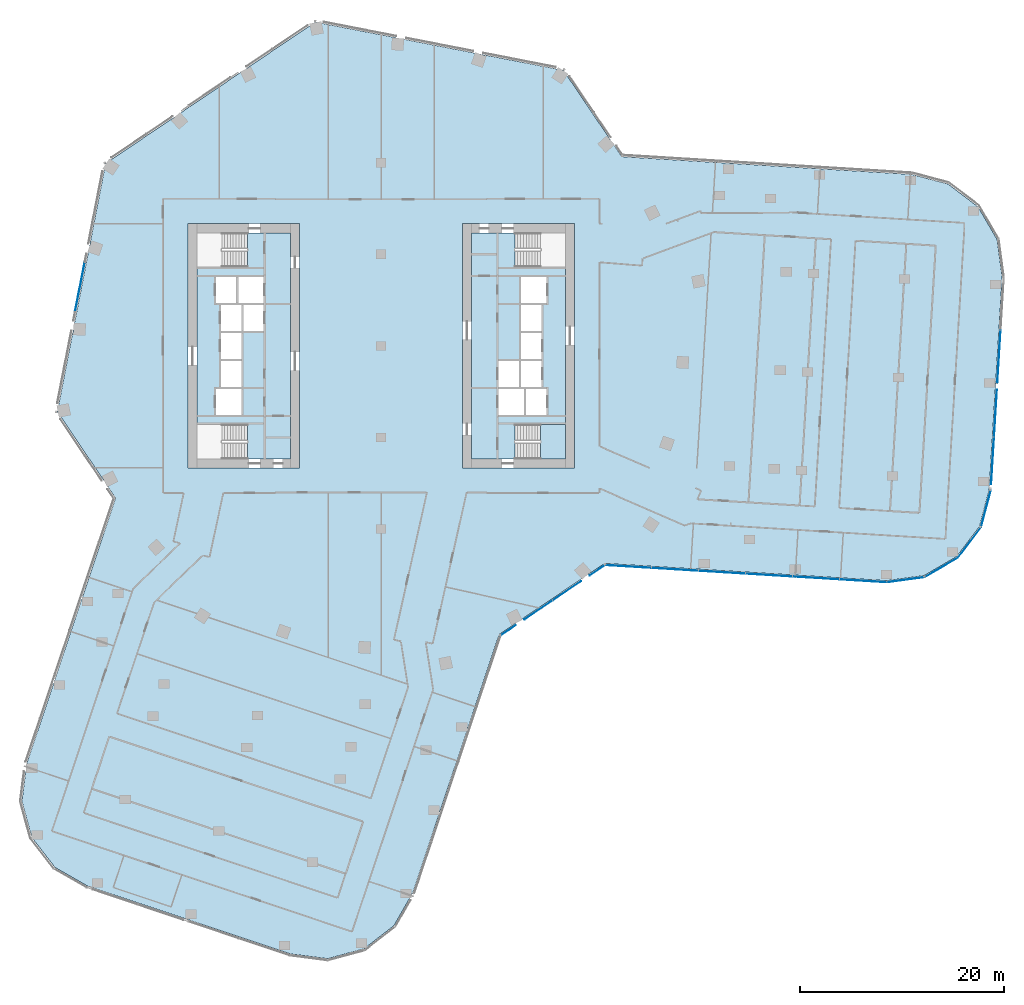
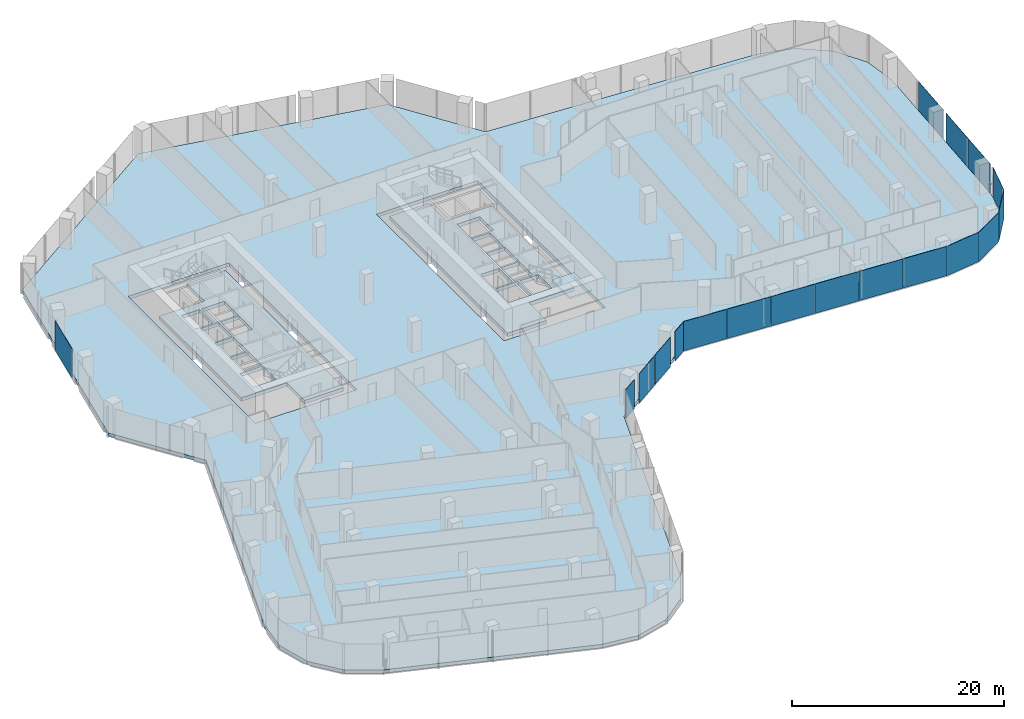
# One storey, part 19 of 32: 18 plates, 4 slabs, 9 elements without a shape of their own.
"""IFC4 building model written with IfcOpenShell, lengths in metres."""

from ifc_helpers import new_model, si_unit, direction, frame, origin, origin_2d, place, context, subcontext, project, spatial, polyline, rectangle, outline, extrude, material, layer, layer_set, type_object, element, aggregate, save


model = new_model("IFC4")

# Units and contexts
model_context = context("Model", 3, precision=1e-05, world=origin(), true_north=direction((0.0, 1.0)))
body_context = subcontext(model_context, "Body", "Model", "MODEL_VIEW")
ifc_project = project(units=[si_unit("LENGTHUNIT", "METRE"), si_unit("AREAUNIT", "SQUARE_METRE"), si_unit("VOLUMEUNIT", "CUBIC_METRE"), si_unit("PLANEANGLEUNIT", "RADIAN"), si_unit("MASSUNIT", "GRAM", prefix="KILO")], contexts=[model_context])

# Site, building, storey
site_placement = place(None, origin())
site = spatial("IfcSite", under=ifc_project, at=site_placement, CompositionType="ELEMENT")
building_placement = place(site_placement, origin())
building = spatial("IfcBuilding", under=site, at=building_placement, Name="Orlundy Tower", CompositionType="ELEMENT")
storey_placement = place(building_placement, frame((0.0, 0.0, 149.10009765625)))
storey = spatial("IfcBuildingStorey", under=building, at=storey_placement, Name="L38", CompositionType="ELEMENT", Elevation=149.10009765625)

# Curtain wall, plates
ifc_material_1 = material(Name="Aluminium bronze anodised", Category="aluminium")
curtain_wall_type = type_object("IfcCurtainWallType", Name="CW1 wall", PredefinedType="NOTDEFINED", material=ifc_material_1)
curtain_wall_1_placement = place(storey_placement, origin())
curtain_wall_1 = element("IfcCurtainWall", 1, at=curtain_wall_1_placement, inside=storey, type_object=curtain_wall_type, Name="CW1 run 00", PredefinedType="NOTDEFINED")
ifc_material_2 = material(Name="Tinted glass", Category="glass")
ifc_layer_1 = layer(ifc_material_2, 0.031982421875)
ifc_layer_set_1 = layer_set([ifc_layer_1], Name="CW1 glass panel 32")
plate_type = type_object("IfcPlateType", Name="CW1 glass panel 32", PredefinedType="CURTAIN_PANEL", material=ifc_layer_set_1)
plate_1_placement = place(storey_placement, frame((47.37109375, -23.098876953125, -0.280029296875), z_axis=(0.0, 0.0, 1.0), x_axis=(-0.998135153221, 0.061042738341, 0.0)))
plate_1 = element("IfcPlate", 2, at=plate_1_placement, type_object=plate_type, Name="CW1 panel", PredefinedType="CURTAIN_PANEL", context=body_context, shape_type="SweptSolid", body=[
    extrude(rectangle(XDim=4.5966796875, YDim=0.031982421875, at=origin_2d()), origin(), (0.0, 0.0, 1.0), 3.3798828125),
])
plate_2_placement = place(storey_placement, frame((42.740966796875, -22.815673828125, -0.280029296875), z_axis=(0.0, 0.0, 1.0), x_axis=(-0.998135153221, 0.061042738341, 0.0)))
plate_2 = element("IfcPlate", 3, at=plate_2_placement, type_object=plate_type, Name="CW1 panel", PredefinedType="CURTAIN_PANEL", context=body_context, shape_type="SweptSolid", body=[
    extrude(rectangle(XDim=4.58056640625, YDim=0.031982421875, at=origin_2d()), origin(), (0.0, 0.0, 1.0), 3.3798828125),
])
plate_3_placement = place(storey_placement, frame((38.118896484375, -22.532958984375, -0.280029296875), z_axis=(0.0, 0.0, 1.0), x_axis=(-0.998135153221, 0.061042738341, 0.0)))
plate_3 = element("IfcPlate", 4, at=plate_3_placement, type_object=plate_type, Name="CW1 panel", PredefinedType="CURTAIN_PANEL", context=body_context, shape_type="SweptSolid", body=[
    extrude(rectangle(XDim=4.58056640625, YDim=0.031982421875, at=origin_2d()), origin(), (0.0, 0.0, 1.0), 3.3798828125),
])
plate_4_placement = place(storey_placement, frame((33.4970703125, -22.250244140625, -0.280029296875), z_axis=(0.0, 0.0, 1.0), x_axis=(-0.998135153221, 0.061042738341, 0.0)))
plate_4 = element("IfcPlate", 5, at=plate_4_placement, type_object=plate_type, Name="CW1 panel", PredefinedType="CURTAIN_PANEL", context=body_context, shape_type="SweptSolid", body=[
    extrude(rectangle(XDim=4.58056640625, YDim=0.031982421875, at=origin_2d()), origin(), (0.0, 0.0, 1.0), 3.3798828125),
])
plate_5_placement = place(storey_placement, frame((28.875, -21.9677734375, -0.280029296875), z_axis=(0.0, 0.0, 1.0), x_axis=(-0.998135153221, 0.061042738341, 0.0)))
plate_5 = element("IfcPlate", 6, at=plate_5_placement, type_object=plate_type, Name="CW1 panel", PredefinedType="CURTAIN_PANEL", context=body_context, shape_type="SweptSolid", body=[
    extrude(rectangle(XDim=4.58056640625, YDim=0.031982421875, at=origin_2d()), origin(), (0.0, 0.0, 1.0), 3.3798828125),
])
plate_6_placement = place(storey_placement, frame((24.268310546875, -21.68603515625, -0.280029296875), z_axis=(0.0, 0.0, 1.0), x_axis=(-0.998135153221, 0.061042738341, 0.0)))
plate_6 = element("IfcPlate", 7, at=plate_6_placement, type_object=plate_type, Name="CW1 panel", PredefinedType="CURTAIN_PANEL", context=body_context, shape_type="SweptSolid", body=[
    extrude(rectangle(XDim=4.550048828125, YDim=0.031982421875, at=origin_2d()), origin(), (0.0, 0.0, 1.0), 3.3798828125),
])
aggregate(curtain_wall_1, [plate_1, plate_2, plate_3, plate_4, plate_5, plate_6])

curtain_wall_2_placement = place(storey_placement, origin())
curtain_wall_2 = element("IfcCurtainWall", 8, at=curtain_wall_2_placement, inside=storey, type_object=curtain_wall_type, Name="CW1 run 01", PredefinedType="NOTDEFINED")
plate_7_placement = place(storey_placement, frame((21.246826171875, -22.05322265625, -0.280029296875), z_axis=(0.0, 0.0, 1.0), x_axis=(-0.829056587538, -0.559164711565, 0.0)))
plate_7 = element("IfcPlate", 9, at=plate_7_placement, type_object=plate_type, Name="CW1 panel", PredefinedType="CURTAIN_PANEL", context=body_context, shape_type="SweptSolid", body=[
    extrude(rectangle(XDim=1.810791015625, YDim=0.031982421875, at=origin_2d()), origin(), (0.0, 0.0, 1.0), 3.3798828125),
])
plate_8_placement = place(storey_placement, frame((18.269775390625, -24.061279296875, -0.280029296875), z_axis=(0.0, 0.0, 1.0), x_axis=(-0.829056587538, -0.559164711565, 0.0)))
plate_8 = element("IfcPlate", 10, at=plate_8_placement, type_object=plate_type, Name="CW1 panel", PredefinedType="CURTAIN_PANEL", context=body_context, shape_type="SweptSolid", body=[
    extrude(rectangle(XDim=3.33203125, YDim=0.031982421875, at=origin_2d()), origin(), (0.0, 0.0, 1.0), 3.3798828125),
])
plate_9_placement = place(storey_placement, frame((15.465576171875, -25.95263671875, -0.280029296875), z_axis=(0.0, 0.0, 1.0), x_axis=(-0.829056587538, -0.559164711565, 0.0)))
plate_9 = element("IfcPlate", 11, at=plate_9_placement, type_object=plate_type, Name="CW1 panel", PredefinedType="CURTAIN_PANEL", context=body_context, shape_type="SweptSolid", body=[
    extrude(rectangle(XDim=3.33251953125, YDim=0.031982421875, at=origin_2d()), origin(), (0.0, 0.0, 1.0), 3.3798828125),
])
plate_10_placement = place(storey_placement, frame((12.487548828125, -27.961181640625, -0.280029296875), z_axis=(0.0, 0.0, 1.0), x_axis=(-0.829056587538, -0.559164711565, 0.0)))
plate_10 = element("IfcPlate", 12, at=plate_10_placement, type_object=plate_type, Name="CW1 panel", PredefinedType="CURTAIN_PANEL", context=body_context, shape_type="SweptSolid", body=[
    extrude(rectangle(XDim=1.808837890625, YDim=0.031982421875, at=origin_2d()), origin(), (0.0, 0.0, 1.0), 3.3798828125),
])
aggregate(curtain_wall_2, [plate_7, plate_8, plate_9, plate_10])

# Curtain wall, plate
curtain_wall_3_placement = place(storey_placement, origin())
curtain_wall_3 = element("IfcCurtainWall", 13, at=curtain_wall_3_placement, inside=storey, type_object=curtain_wall_type, Name="CW1 run 014", PredefinedType="NOTDEFINED")
plate_11_placement = place(storey_placement, frame((-29.610107421875, 5.75537109375, -0.280029296875), z_axis=(0.0, 0.0, 1.0), x_axis=(0.19080503976, 0.981627952333, 0.0)))
plate_11 = element("IfcPlate", 14, at=plate_11_placement, type_object=plate_type, Name="CW1 panel", PredefinedType="CURTAIN_PANEL", context=body_context, shape_type="SweptSolid", body=[
    extrude(rectangle(XDim=4.92041015625, YDim=0.031982421875, at=origin_2d()), origin(), (0.0, 0.0, 1.0), 3.3798828125),
])
aggregate(curtain_wall_3, [plate_11])

# Curtain wall, plates
curtain_wall_4_placement = place(storey_placement, origin())
curtain_wall_4 = element("IfcCurtainWall", 15, at=curtain_wall_4_placement, inside=storey, type_object=curtain_wall_type, Name="CW1 run 023", PredefinedType="NOTDEFINED")
plate_12_placement = place(storey_placement, frame((60.7109375, -1.08349609375, -0.280029296875), z_axis=(0.0, 0.0, 1.0), x_axis=(-0.061047131434, -0.998134884544, 0.0)))
plate_12 = element("IfcPlate", 16, at=plate_12_placement, type_object=plate_type, Name="CW1 panel", PredefinedType="CURTAIN_PANEL", context=body_context, shape_type="SweptSolid", body=[
    extrude(rectangle(XDim=5.199951171875, YDim=0.031982421875, at=origin_2d()), origin(), (0.0, 0.0, 1.0), 3.3798828125),
])
plate_13_placement = place(storey_placement, frame((60.372802734375, -6.61279296875, -0.280029296875), z_axis=(0.0, 0.0, 1.0), x_axis=(-0.061047131434, -0.998134884544, 0.0)))
plate_13 = element("IfcPlate", 17, at=plate_13_placement, type_object=plate_type, Name="CW1 panel", PredefinedType="CURTAIN_PANEL", context=body_context, shape_type="SweptSolid", body=[
    extrude(rectangle(XDim=4.620361328125, YDim=0.031982421875, at=origin_2d()), origin(), (0.0, 0.0, 1.0), 3.3798828125),
])
plate_14_placement = place(storey_placement, frame((60.08740234375, -11.279541015625, -0.280029296875), z_axis=(0.0, 0.0, 1.0), x_axis=(-0.061047131434, -0.998134884544, 0.0)))
plate_14 = element("IfcPlate", 18, at=plate_14_placement, type_object=plate_type, Name="CW1 panel", PredefinedType="CURTAIN_PANEL", context=body_context, shape_type="SweptSolid", body=[
    extrude(rectangle(XDim=4.63037109375, YDim=0.031982421875, at=origin_2d()), origin(), (0.0, 0.0, 1.0), 3.3798828125),
])
aggregate(curtain_wall_4, [plate_12, plate_13, plate_14])

# Curtain wall, plate
curtain_wall_5_placement = place(storey_placement, origin())
curtain_wall_5 = element("IfcCurtainWall", 19, at=curtain_wall_5_placement, inside=storey, type_object=curtain_wall_type, Name="CW1 run 024", PredefinedType="NOTDEFINED")
plate_15_placement = place(storey_placement, frame((59.42724609375, -16.02783203125, -0.280029296875), z_axis=(0.0, 0.0, 1.0), x_axis=(-0.254705790277, -0.967018593616, 0.0)))
plate_15 = element("IfcPlate", 20, at=plate_15_placement, type_object=plate_type, Name="CW1 panel", PredefinedType="CURTAIN_PANEL", context=body_context, shape_type="SweptSolid", body=[
    extrude(rectangle(XDim=3.72998046875, YDim=0.031982421875, at=origin_2d()), origin(), (0.0, 0.0, 1.0), 3.3798828125),
])
aggregate(curtain_wall_5, [plate_15])

curtain_wall_6_placement = place(storey_placement, origin())
curtain_wall_6 = element("IfcCurtainWall", 21, at=curtain_wall_6_placement, inside=storey, type_object=curtain_wall_type, Name="CW1 run 025", PredefinedType="NOTDEFINED")
plate_16_placement = place(storey_placement, frame((57.81103515625, -19.332763671875, -0.280029296875), z_axis=(0.0, 0.0, 1.0), x_axis=(-0.605124308835, -0.796131001065, 0.0)))
plate_16 = element("IfcPlate", 22, at=plate_16_placement, type_object=plate_type, Name="CW1 panel", PredefinedType="CURTAIN_PANEL", context=body_context, shape_type="SweptSolid", body=[
    extrude(rectangle(XDim=3.77197265625, YDim=0.031982421875, at=origin_2d()), origin(), (0.0, 0.0, 1.0), 3.3798828125),
])
aggregate(curtain_wall_6, [plate_16])

curtain_wall_7_placement = place(storey_placement, origin())
curtain_wall_7 = element("IfcCurtainWall", 23, at=curtain_wall_7_placement, inside=storey, type_object=curtain_wall_type, Name="CW1 run 026", PredefinedType="NOTDEFINED")
plate_17_placement = place(storey_placement, frame((55.04052734375, -21.7841796875, -0.280029296875), z_axis=(0.0, 0.0, 1.0), x_axis=(-0.863876736944, -0.503703269164, 0.0)))
plate_17 = element("IfcPlate", 24, at=plate_17_placement, type_object=plate_type, Name="CW1 panel", PredefinedType="CURTAIN_PANEL", context=body_context, shape_type="SweptSolid", body=[
    extrude(rectangle(XDim=3.771728515625, YDim=0.031982421875, at=origin_2d()), origin(), (0.0, 0.0, 1.0), 3.3798828125),
])
aggregate(curtain_wall_7, [plate_17])

curtain_wall_8_placement = place(storey_placement, origin())
curtain_wall_8 = element("IfcCurtainWall", 25, at=curtain_wall_8_placement, inside=storey, type_object=curtain_wall_type, Name="CW1 run 027", PredefinedType="NOTDEFINED")
plate_18_placement = place(storey_placement, frame((51.563232421875, -22.985595703125, -0.280029296875), z_axis=(0.0, 0.0, 1.0), x_axis=(-0.990861331967, -0.134884472094, 0.0)))
plate_18 = element("IfcPlate", 26, at=plate_18_placement, type_object=plate_type, Name="CW1 panel", PredefinedType="CURTAIN_PANEL", context=body_context, shape_type="SweptSolid", body=[
    extrude(rectangle(XDim=3.73046875, YDim=0.031982421875, at=origin_2d()), origin(), (0.0, 0.0, 1.0), 3.3798828125),
])
aggregate(curtain_wall_8, [plate_18])

# Slabs
ifc_material_3 = material(Name="Concrete C50/60", Category="concrete")
ifc_layer_2 = layer(ifc_material_3, 0.409912109375)
ifc_layer_set_2 = layer_set([ifc_layer_2], Name="Core Floor Slab 410")
slab_type_1 = type_object("IfcSlabType", Name="Core Floor Slab 410", PredefinedType="FLOOR", material=ifc_layer_set_2)
slab_1_placement = place(storey_placement, frame((0.0, 0.0, -0.41015625)))
element("IfcSlab", 27, at=slab_1_placement, inside=storey, type_object=slab_type_1, Name="Core floor W29", PredefinedType="FLOOR", context=body_context, shape_type="SweptSolid", body=[
    extrude(outline(polyline([(-13.14501953125, -11.10009765625), (-13.14501953125, -7.75), (-18.10009765625, -7.75), (-18.10009765625, 7.75), (-13.14501953125, 7.75), (-13.14501953125, 11.10009765625), (-8.89990234375, 11.10009765625), (-8.89990234375, -11.10009765625), (-13.14501953125, -11.10009765625)]), holes=[polyline([(-13.739990234375, -4.22509765625), (-16.239990234375, -4.22509765625), (-16.239990234375, -6.77490234375), (-13.739990234375, -6.77490234375), (-13.739990234375, -4.22509765625)]), polyline([(-13.739990234375, -4.02490234375), (-13.739990234375, -1.47509765625), (-15.739990234375, -1.47509765625), (-15.739990234375, -4.02490234375), (-13.739990234375, -4.02490234375)]), polyline([(-15.739990234375, -1.27490234375), (-13.739990234375, -1.27490234375), (-13.739990234375, 1.27490234375), (-15.739990234375, 1.27490234375), (-15.739990234375, -1.27490234375)]), polyline([(-13.5400390625, 4.02490234375), (-13.5400390625, 1.47509765625), (-11.5400390625, 1.47509765625), (-11.5400390625, 4.02490234375), (-13.5400390625, 4.02490234375)]), polyline([(-13.739990234375, 4.02490234375), (-15.739990234375, 4.02490234375), (-15.739990234375, 1.47509765625), (-13.739990234375, 1.47509765625), (-13.739990234375, 4.02490234375)]), polyline([(-11.5400390625, 4.22509765625), (-11.5400390625, 6.77490234375), (-14.0400390625, 6.77490234375), (-14.0400390625, 4.22509765625), (-11.5400390625, 4.22509765625)]), polyline([(-16.239990234375, 4.22509765625), (-14.239990234375, 4.22509765625), (-14.239990234375, 6.77490234375), (-16.239990234375, 6.77490234375), (-16.239990234375, 4.22509765625)])]), origin(), (0.0, 0.0, 1.0), 0.41015625),
])
slab_2_placement = place(storey_placement, frame((0.0, 0.0, -0.41015625)))
element("IfcSlab", 28, at=slab_2_placement, inside=storey, type_object=slab_type_1, Name="Core floor E29", PredefinedType="FLOOR", context=body_context, shape_type="SweptSolid", body=[
    extrude(outline(polyline([(13.14501953125, 11.10009765625), (13.14501953125, 7.75), (18.10009765625, 7.75), (18.10009765625, -7.75), (13.14501953125, -7.75), (13.14501953125, -11.10009765625), (8.89990234375, -11.10009765625), (8.89990234375, 11.10009765625), (13.14501953125, 11.10009765625)]), holes=[polyline([(13.739990234375, 4.22509765625), (16.239990234375, 4.22509765625), (16.239990234375, 6.77490234375), (13.739990234375, 6.77490234375), (13.739990234375, 4.22509765625)]), polyline([(13.739990234375, 4.02490234375), (13.739990234375, 1.47509765625), (15.739990234375, 1.47509765625), (15.739990234375, 4.02490234375), (13.739990234375, 4.02490234375)]), polyline([(15.739990234375, 1.27490234375), (13.739990234375, 1.27490234375), (13.739990234375, -1.27490234375), (15.739990234375, -1.27490234375), (15.739990234375, 1.27490234375)]), polyline([(13.5400390625, -4.02490234375), (13.5400390625, -1.47509765625), (11.5400390625, -1.47509765625), (11.5400390625, -4.02490234375), (13.5400390625, -4.02490234375)]), polyline([(13.739990234375, -4.02490234375), (15.739990234375, -4.02490234375), (15.739990234375, -1.47509765625), (13.739990234375, -1.47509765625), (13.739990234375, -4.02490234375)]), polyline([(11.5400390625, -4.22509765625), (11.5400390625, -6.77490234375), (14.0400390625, -6.77490234375), (14.0400390625, -4.22509765625), (11.5400390625, -4.22509765625)]), polyline([(16.239990234375, -4.22509765625), (14.239990234375, -4.22509765625), (14.239990234375, -6.77490234375), (16.239990234375, -6.77490234375), (16.239990234375, -4.22509765625)])]), origin(), (0.0, 0.0, 1.0), 0.41015625),
])

# Stair, slab
ifc_material_4 = material(Name="Concrete C50/60", Category="concrete")
stair_type = type_object("IfcStairType", Name="Exit Stair 20 risers", PredefinedType="HALF_TURN_STAIR", material=ifc_material_4)
stair_placement = place(storey_placement, origin())
stair = element("IfcStair", 29, at=stair_placement, inside=storey, type_object=stair_type, Name="L38 Exit Stair ST-E1", PredefinedType="HALF_TURN_STAIR")
ifc_material_5 = material(Name="Concrete C50/60", Category="concrete")
ifc_layer_3 = layer(ifc_material_5, 0.199951171875)
ifc_layer_set_3 = layer_set([ifc_layer_3], Name="Exit Stair Landing")
slab_type_2 = type_object("IfcSlabType", Name="Exit Stair Landing", PredefinedType="LANDING", material=ifc_layer_set_3)
slab_3_placement = place(storey_placement, frame((0.0, 0.0, 1.5498046875)))
slab_3 = element("IfcSlab", 30, at=slab_3_placement, type_object=slab_type_2, Name="ST-E1 landing 1", PredefinedType="LANDING", context=body_context, shape_type="SweptSolid", body=[
    extrude(outline(polyline([(15.659912109375, -11.10009765625), (18.10009765625, -11.10009765625), (18.10009765625, -7.75), (15.659912109375, -7.75), (15.659912109375, -11.10009765625)])), origin(), (0.0, 0.0, 1.0), 0.2001953125),
])
aggregate(stair, [slab_3])

# Slab
ifc_material_6 = material(Name="Concrete C45/55", Category="concrete")
ifc_layer_4 = layer(ifc_material_6, 0.39990234375)
ifc_layer_set_4 = layer_set([ifc_layer_4], Name="FLOOR SLAB THICK 400 C45/55")
slab_type_3 = type_object("IfcSlabType", Name="FLOOR SLAB THICK 400 C45/55", PredefinedType="FLOOR", material=ifc_layer_set_4)
slab_4_placement = place(storey_placement, frame((0.0, 0.0, -0.400146484375)))
element("IfcSlab", 31, at=slab_4_placement, inside=storey, type_object=slab_type_3, Name="Floor slab L38", PredefinedType="FLOOR", context=body_context, shape_type="SweptSolid", body=[
    extrude(outline(polyline([(21.951904296875, -21.3798828125), (11.60009765625, -28.362060546875), (3.10107421875, -53.761962890625), (1.261962890625, -56.97998046875), (-1.6689453125, -59.25), (-5.2451171875, -60.22509765625), (-8.922119140625, -59.757080078125), (-28.8369140625, -53.093994140625), (-32.054931640625, -51.25390625), (-34.324951171875, -48.322998046875), (-35.299072265625, -44.7470703125), (-34.83203125, -41.070068359375), (-26.095947265625, -14.9599609375), (-31.820068359375, -6.47412109375), (-27.077880859375, 17.922119140625), (-6.47412109375, 31.820068359375), (17.922119140625, 27.077880859375), (23.64697265625, 18.591064453125), (52.1259765625, 16.84912109375), (55.7099609375, 15.905029296875), (58.660888671875, 13.662109375), (60.528076171875, 10.4599609375), (61.028076171875, 6.787109375), (59.74609375, -14.174072265625), (58.802001953125, -17.758056640625), (56.55908203125, -20.708984375), (53.35693359375, -22.575927734375), (49.68408203125, -23.075927734375), (21.951904296875, -21.3798828125)]), holes=[polyline([(-8.0, -12.0), (-8.0, 12.0), (-19.0, 12.0), (-19.0, -12.0), (-8.0, -12.0)]), polyline([(19.0, -12.0), (19.0, 12.0), (8.0, 12.0), (8.0, -12.0), (19.0, -12.0)])]), origin(), (0.0, 0.0, 1.0), 0.400146484375),
])

save(model, "model.ifc")
